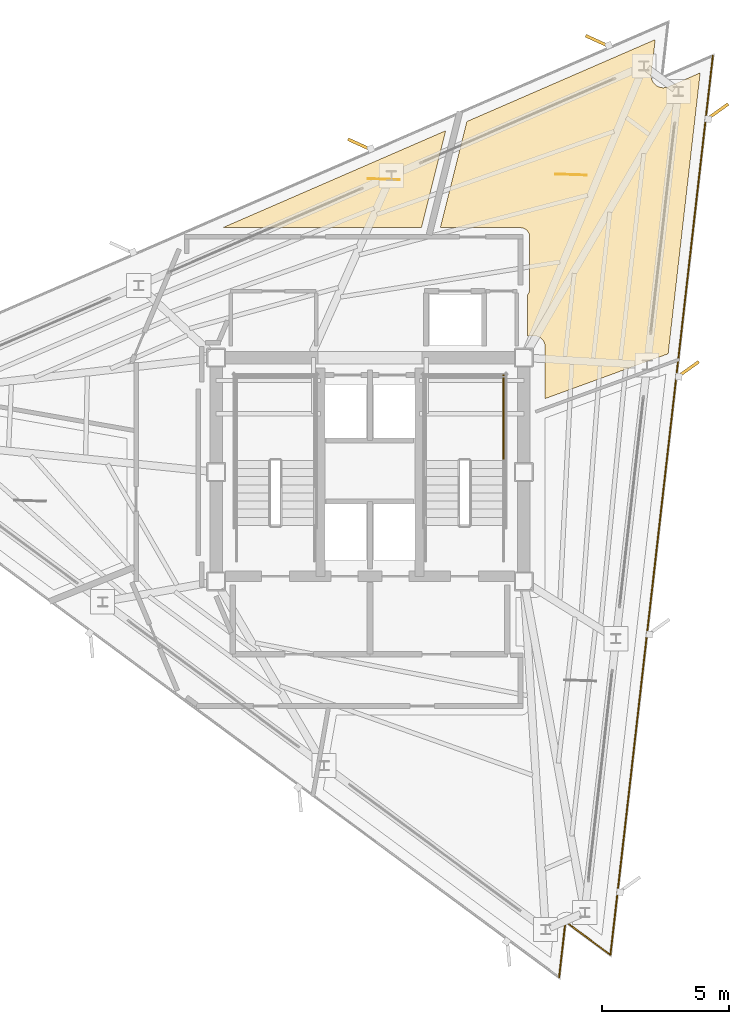
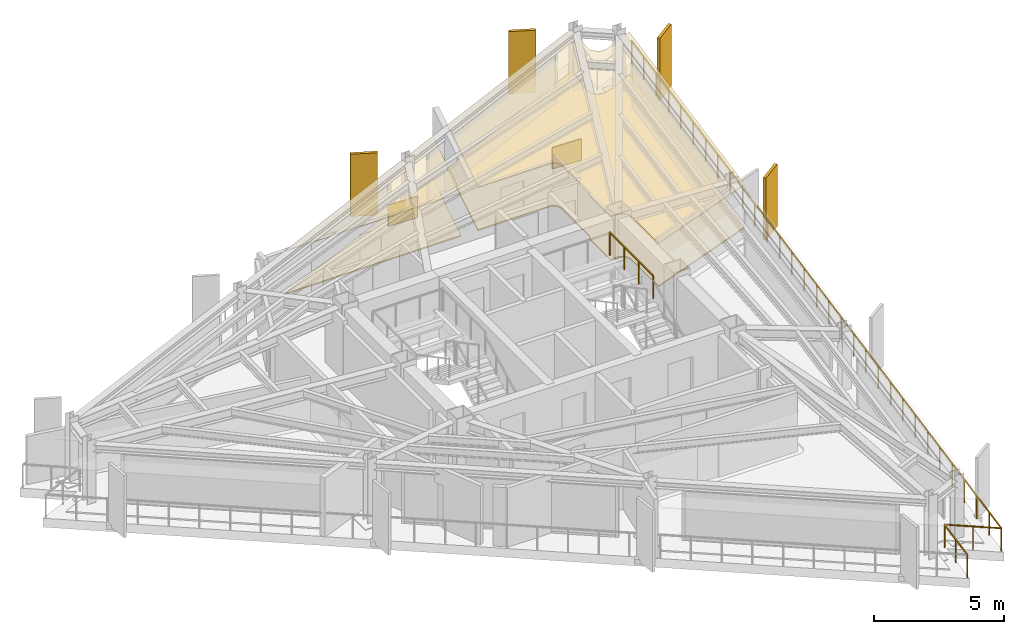
# One storey, part 10 of 10: 6 coverings, 4 shading devices, 2 railings.
"""IFC4 building model written with IfcOpenShell, lengths in metres."""

import ifcopenshell
import ifcopenshell.guid

model = None  # the IFC model being written
_history = None  # IfcOwnerHistory: only IFC2X3 demands one
_inside = {}  # id of a spatial element -> (the spatial element, [elements in it])
_under = {}  # id of a project, library or spatial element -> (it, [spatial elements below it])
_declared = {}  # id of a project -> (the project, [libraries it declares])
_typed = {}  # id of a type object -> (the type object, [elements of that type])
_made_of = {}  # id of a material, layer set ... -> (it, [elements and type objects made of it])


def new_model(schema):
    """Start an empty IFC model of exactly this schema.

    Asked for "IFC4X3", IfcOpenShell would pick the latest addendum, in which some entities
    have other attributes; the version numbers below select the first issue.
    IFC2X3 requires an IfcOwnerHistory on every rooted entity: one is made here for all.
    """
    global model, _history
    if schema == "IFC4X3":
        model = ifcopenshell.file(schema_version=(4, 3, 0, 0))
    else:
        model = ifcopenshell.file(schema=schema)
    _inside.clear()
    _under.clear()
    _declared.clear()
    _typed.clear()
    _made_of.clear()
    _history = None
    if model.schema == "IFC2X3":
        org = make("IfcOrganization", Name="unknown")
        user = make(
            "IfcPersonAndOrganization",
            ThePerson=make("IfcPerson", FamilyName="unknown"),
            TheOrganization=org,
        )
        app = make(
            "IfcApplication",
            ApplicationDeveloper=org,
            Version="unknown",
            ApplicationFullName="unknown",
            ApplicationIdentifier="unknown",
        )
        _history = make(
            "IfcOwnerHistory",
            OwningUser=user,
            OwningApplication=app,
            ChangeAction="ADDED",
            CreationDate=0,
        )
    return model


def make(cls, **values):
    """One entity of the class cls with the attributes given. An attribute that is None is left unset."""
    return model.create_entity(
        cls, **{name: value for name, value in values.items() if value is not None}
    )


def rooted(cls, **values):
    """An entity with a GlobalId (a new one), such as an element, a storey or a relation."""
    return make(cls, GlobalId=ifcopenshell.guid.new(), OwnerHistory=_history, **values)


def si_unit(unit_type, name, prefix=None):
    """IfcSIUnit, for example si_unit("LENGTHUNIT", "METRE", prefix="MILLI")."""
    return make("IfcSIUnit", UnitType=unit_type, Prefix=prefix, Name=name)


def assignment(units):
    """IfcUnitAssignment: the units of a project."""
    return None if units is None else make("IfcUnitAssignment", Units=units)


def point(xyz):
    """IfcCartesianPoint."""
    return None if xyz is None else make("IfcCartesianPoint", Coordinates=xyz)


def direction(xyz):
    """IfcDirection."""
    return None if xyz is None else make("IfcDirection", DirectionRatios=xyz)


def frame(location, z_axis=None, x_axis=None):
    """IfcAxis2Placement3D, a coordinate frame: its origin and axes. An axis left out is left unset."""
    return make(
        "IfcAxis2Placement3D",
        Location=point(location),
        Axis=direction(z_axis),
        RefDirection=direction(x_axis),
    )


def frame_2d(location, x_axis=None):
    """IfcAxis2Placement2D, a coordinate frame in the plane: its origin and x axis."""
    return make(
        "IfcAxis2Placement2D", Location=point(location), RefDirection=direction(x_axis)
    )


def origin():
    """The frame at (0, 0, 0) with its axes left unset."""
    return frame((0.0, 0.0, 0.0))


def origin_2d():
    """The frame at (0, 0) in the plane with its x axis left unset."""
    return frame_2d((0.0, 0.0))


def place(relative_to, where):
    """IfcLocalPlacement: puts the frame where relative to a parent placement (None: the world)."""
    return make(
        "IfcLocalPlacement", PlacementRelTo=relative_to, RelativePlacement=where
    )


def context(
    kind, dimensions, precision=None, world=None, true_north=None, identifier=None
):
    """IfcGeometricRepresentationContext, for example the 3D "Model" context."""
    return make(
        "IfcGeometricRepresentationContext",
        ContextIdentifier=identifier,
        ContextType=kind,
        CoordinateSpaceDimension=dimensions,
        Precision=precision,
        WorldCoordinateSystem=world,
        TrueNorth=true_north,
    )


def subcontext(parent, identifier, kind, view, scale=None):
    """IfcGeometricRepresentationSubContext, for example "Body" below "Model"."""
    return make(
        "IfcGeometricRepresentationSubContext",
        ContextIdentifier=identifier,
        ContextType=kind,
        ParentContext=parent,
        TargetScale=scale,
        TargetView=view,
    )


def project(units=None, contexts=None):
    """IfcProject with its units and contexts."""
    return rooted(
        "IfcProject",
        Name="project",
        RepresentationContexts=contexts,
        UnitsInContext=assignment(units),
    )


def spatial(cls, under=None, at=None, **own):
    """A site, building, storey or space (cls), placed at a placement, below another one or the project."""
    s = rooted(cls, ObjectPlacement=at, **own)
    if under is not None:
        _under.setdefault(under.id(), (under, []))[1].append(s)
    return s


def polyline(points):
    """IfcPolyline through the points."""
    return make("IfcPolyline", Points=[point(p) for p in points])


def profile(cls, at=None, kind="AREA", **sizes):
    """A parametric profile (cls). Its sizes go by their IFC names, for example OverallWidth=200.0."""
    return make(cls, ProfileType=kind, Position=at, **sizes)


def rectangle(**sizes):
    """IfcRectangleProfileDef."""
    return profile("IfcRectangleProfileDef", **sizes)


def outline(outer, holes=None, kind="AREA"):
    """IfcArbitraryClosedProfileDef: a profile drawn as a closed curve; with holes, ...WithVoids."""
    if holes is None:
        return make("IfcArbitraryClosedProfileDef", ProfileType=kind, OuterCurve=outer)
    return make(
        "IfcArbitraryProfileDefWithVoids",
        ProfileType=kind,
        OuterCurve=outer,
        InnerCurves=holes,
    )


def extrude(swept, where, along, depth):
    """IfcExtrudedAreaSolid: the profile swept, set in the frame where, extruded along a direction by depth."""
    return make(
        "IfcExtrudedAreaSolid",
        SweptArea=swept,
        Position=where,
        ExtrudedDirection=direction(along),
        Depth=depth,
    )


def shape(context_of_items, identifier, shape_type, items):
    """IfcShapeRepresentation: the items that make up one representation, for example the "Body"."""
    return make(
        "IfcShapeRepresentation",
        ContextOfItems=context_of_items,
        RepresentationIdentifier=identifier,
        RepresentationType=shape_type,
        Items=items,
    )


def material(Name=None, Category=None):
    """IfcMaterial."""
    return make("IfcMaterial", Name=Name, Category=Category)


def layer(
    of_material, thickness, ventilated=None, Name=None, Category=None, Priority=None
):
    """IfcMaterialLayer: one layer of a wall or slab, of a material (None: an air gap)."""
    return make(
        "IfcMaterialLayer",
        Material=of_material,
        LayerThickness=thickness,
        IsVentilated=ventilated,
        Name=Name,
        Category=Category,
        Priority=Priority,
    )


def layer_set(layers, Name=None):
    """IfcMaterialLayerSet."""
    return make("IfcMaterialLayerSet", MaterialLayers=layers, LayerSetName=Name)


def made_of(thing, what):
    """Note that an element or type object is made of a material, layer set ...; save() writes the relation."""
    if what is not None:
        _made_of.setdefault(what.id(), (what, []))[1].append(thing)
    return thing


def type_object(cls, material=None, **own):
    """A type object (cls), such as IfcWallType, which elements share."""
    return made_of(rooted(cls, **own), material)


def element(
    cls,
    number,
    at=None,
    inside=None,
    cuts=None,
    type_object=None,
    material=None,
    context=None,
    identifier="Body",
    shape_type=None,
    held_by="IfcProductDefinitionShape",
    body=None,
    shapes=None,
    **own,
):
    """One element of the class cls, such as IfcWall. Its Tag is "e" and its number.

    at: its placement. inside: the storey or other place that contains it. cuts: it is an
    opening in that element (IfcRelVoidsElement). A single representation is given by context,
    identifier, shape_type and body (its items); several are given by shapes. held_by: the class
    of the entity that holds the representations. save() writes the other relations.
    """
    e = rooted(cls, Tag="e%d" % number, ObjectPlacement=at, **own)
    if body is not None:
        shapes = [shape(context, identifier, shape_type, body)]
    if shapes is not None:
        e.Representation = make(held_by, Representations=shapes)
    if inside is not None:
        _inside.setdefault(inside.id(), (inside, []))[1].append(e)
    if cuts is not None:
        rooted(
            "IfcRelVoidsElement", RelatingBuildingElement=cuts, RelatedOpeningElement=e
        )
    if type_object is not None:
        _typed.setdefault(type_object.id(), (type_object, []))[1].append(e)
    return made_of(e, material)


def aggregate(whole, parts):
    """IfcRelAggregates: a whole, such as a stair, and the parts it consists of."""
    return rooted("IfcRelAggregates", RelatingObject=whole, RelatedObjects=parts)


def save(model, path):
    """Write the relations noted so far, then the file.

    IfcRelAggregates (storeys below a building ...), IfcRelContainedInSpatialStructure (elements
    in a storey), IfcRelDefinesByType, IfcRelAssociatesMaterial and IfcRelDeclares: one each for
    every whole, place, type object, material and project.
    """
    for whole, parts in _under.values():
        aggregate(whole, parts)
    for where, things in _inside.values():
        rooted(
            "IfcRelContainedInSpatialStructure",
            RelatedElements=things,
            RelatingStructure=where,
        )
    for kind, things in _typed.values():
        rooted("IfcRelDefinesByType", RelatedObjects=things, RelatingType=kind)
    for what, things in _made_of.values():
        rooted("IfcRelAssociatesMaterial", RelatedObjects=things, RelatingMaterial=what)
    for by, libraries in _declared.values():
        rooted("IfcRelDeclares", RelatingContext=by, RelatedDefinitions=libraries)
    model.write(path)


model = new_model("IFC4")

# Units and contexts
model_context = context("Model", 3, precision=1e-05, world=origin(), true_north=direction((0.0, 1.0)))
body_context = subcontext(model_context, "Body", "Model", "MODEL_VIEW")
ifc_project = project(units=[si_unit("LENGTHUNIT", "METRE"), si_unit("AREAUNIT", "SQUARE_METRE"), si_unit("VOLUMEUNIT", "CUBIC_METRE"), si_unit("PLANEANGLEUNIT", "RADIAN"), si_unit("MASSUNIT", "GRAM", prefix="KILO")], contexts=[model_context])

# Site, building, storey
site_placement = place(None, origin())
site = spatial("IfcSite", under=ifc_project, at=site_placement, CompositionType="ELEMENT")
building_placement = place(site_placement, origin())
building = spatial("IfcBuilding", under=site, at=building_placement, Name="Rocaltana Carrier Exchange", CompositionType="ELEMENT")
storey_placement = place(building_placement, frame((0.0, 0.0, 214.8798828125)))
storey = spatial("IfcBuildingStorey", under=building, at=storey_placement, Name="L68", CompositionType="ELEMENT", Elevation=214.8798828125)

# Coverings
ifc_material_1 = material(Name="Calcium Sulphate & Aluminium Pedestal", Category="aluminium")
ifc_layer_1 = layer(ifc_material_1, 0.06005859375)
ifc_layer_set_1 = layer_set([ifc_layer_1], Name="Calcium Sulphate & Aluminium Pedestal")
covering_type_1 = type_object("IfcCoveringType", Name="Anti-Static Raised Exchange Access Floor 60", PredefinedType="FLOORING", material=ifc_layer_set_1)
covering_1_placement = place(storey_placement, origin())
element("IfcCovering", 1, at=covering_1_placement, inside=storey, type_object=covering_type_1, Name="L68 Protocol Calibration Laboratory Finish Floor", PredefinedType="FLOORING", context=body_context, shape_type="SweptSolid", body=[
    extrude(outline(polyline([(6.18994140625, 6.962158203125), (6.206787109375, 6.982421875), (6.21142578125, 6.98876953125), (6.226806640625, 7.01171875), (6.230712890625, 7.018310546875), (6.24365234375, 7.04248046875), (6.2470703125, 7.0498046875), (6.257568359375, 7.0751953125), (6.26025390625, 7.08251953125), (6.268310546875, 7.108642578125), (6.27001953125, 7.116455078125), (6.275390625, 7.143310546875), (6.276611328125, 7.151123046875), (6.279296875, 7.178466796875), (6.27978515625, 7.186279296875), (6.280029296875, 7.199951171875), (6.280029296875, 9.25), (6.27978515625, 9.263671875), (6.279296875, 9.271484375), (6.276611328125, 9.298828125), (6.275390625, 9.306640625), (6.27001953125, 9.33349609375), (6.268310546875, 9.34130859375), (6.26025390625, 9.36767578125), (6.257568359375, 9.375), (6.2470703125, 9.400390625), (6.24365234375, 9.407470703125), (6.230712890625, 9.431640625), (6.226806640625, 9.4384765625), (6.21142578125, 9.461181640625), (6.206787109375, 9.467529296875), (6.189208984375, 9.48876953125), (6.18408203125, 9.49462890625), (6.16455078125, 9.513916015625), (6.15869140625, 9.519287109375), (6.137451171875, 9.53662109375), (6.131103515625, 9.54150390625), (6.1083984375, 9.556640625), (6.101806640625, 9.560791015625), (6.077392578125, 9.57373046875), (6.0703125, 9.576904296875), (6.044921875, 9.58740234375), (6.03759765625, 9.590087890625), (6.01123046875, 9.59814453125), (6.003662109375, 9.60009765625), (5.976806640625, 9.60546875), (5.968994140625, 9.606689453125), (5.941650390625, 9.609375), (5.93359375, 9.609619140625), (5.919921875, 9.610107421875), (2.76708984375, 9.610107421875), (3.80859375, 13.786865234375), (11.217041015625, 17.00830078125), (11.06201171875, 15.648193359375), (11.060791015625, 15.634521484375), (11.0595703125, 15.614501953125), (11.05908203125, 15.586669921875), (11.059814453125, 15.566650390625), (11.062255859375, 15.538818359375), (11.06494140625, 15.51904296875), (11.070068359375, 15.49169921875), (11.07470703125, 15.472412109375), (11.08251953125, 15.445556640625), (11.089111328125, 15.4267578125), (11.099609375, 15.40087890625), (11.10791015625, 15.3828125), (11.12109375, 15.358154296875), (11.131103515625, 15.3408203125), (11.146484375, 15.317626953125), (11.158447265625, 15.301513671875), (11.176025390625, 15.27978515625), (11.189453125, 15.26513671875), (11.209228515625, 15.245361328125), (11.223876953125, 15.23193359375), (11.24560546875, 15.21435546875), (11.261474609375, 15.202392578125), (11.284912109375, 15.18701171875), (11.302001953125, 15.1767578125), (11.32666015625, 15.163818359375), (11.344482421875, 15.1552734375), (11.37060546875, 15.144775390625), (11.389404296875, 15.13818359375), (11.416015625, 15.130126953125), (11.435302734375, 15.12548828125), (11.462890625, 15.1201171875), (11.482666015625, 15.117431640625), (11.510498046875, 15.114990234375), (11.5302734375, 15.1142578125), (11.55810546875, 15.114501953125), (11.578125, 15.11572265625), (11.60595703125, 15.118896484375), (11.62548828125, 15.1220703125), (11.65283203125, 15.1279296875), (11.672119140625, 15.133056640625), (11.69873046875, 15.1416015625), (11.71728515625, 15.148681640625), (11.730224609375, 15.15380859375), (12.985595703125, 15.699462890625), (11.726806640625, 4.6513671875), (6.889892578125, 2.890869140625), (6.889892578125, 4.919921875), (6.8896484375, 4.93359375), (6.888916015625, 4.949462890625), (6.88623046875, 4.976806640625), (6.8837890625, 4.9921875), (6.87841796875, 5.019287109375), (6.874755859375, 5.034423828125), (6.86669921875, 5.060791015625), (6.861572265625, 5.07568359375), (6.850830078125, 5.100830078125), (6.84423828125, 5.114990234375), (6.831298828125, 5.139404296875), (6.8232421875, 5.15283203125), (6.807861328125, 5.17578125), (6.798583984375, 5.188232421875), (6.781005859375, 5.20947265625), (6.7705078125, 5.22119140625), (6.751220703125, 5.240478515625), (6.739501953125, 5.251220703125), (6.71826171875, 5.2685546875), (6.705810546875, 5.27783203125), (6.682861328125, 5.293212890625), (6.66943359375, 5.30126953125), (6.64501953125, 5.314208984375), (6.630859375, 5.32080078125), (6.605712890625, 5.33154296875), (6.5908203125, 5.336669921875), (6.564453125, 5.3447265625), (6.54931640625, 5.348388671875), (6.522216796875, 5.35400390625), (6.5068359375, 5.356201171875), (6.4794921875, 5.35888671875), (6.463623046875, 5.359619140625), (6.449951171875, 5.360107421875), (6.18994140625, 5.360107421875), (6.18994140625, 6.962158203125)])), origin(), (0.0, 0.0, 1.0), 0.06005859375),
])
covering_2_placement = place(storey_placement, origin())
element("IfcCovering", 2, at=covering_2_placement, inside=storey, type_object=covering_type_1, Name="L68 Network Engineering Studio Finish Floor", PredefinedType="FLOORING", context=body_context, shape_type="SweptSolid", body=[
    extrude(outline(polyline([(-5.797607421875, 9.610107421875), (2.976318359375, 13.425048828125), (2.02490234375, 9.610107421875), (-5.797607421875, 9.610107421875)])), origin(), (0.0, 0.0, 1.0), 0.06005859375),
])
ifc_material_2 = material(Name="Mineral Fibre & Powder-Coated Aluminium", Category="aluminium")
ifc_layer_2 = layer(ifc_material_2, 0.044921875)
ifc_layer_set_2 = layer_set([ifc_layer_2], Name="Mineral Fibre & Powder-Coated Aluminium")
covering_type_2 = type_object("IfcCoveringType", Name="Micro-Perforated Acoustic Ceiling 45", PredefinedType="CEILING", material=ifc_layer_set_2)
covering_3_placement = place(storey_placement, frame((0.0, 0.0, 2.023193359375)))
element("IfcCovering", 3, at=covering_3_placement, inside=storey, type_object=covering_type_2, Name="L68 Protocol Calibration Laboratory Acoustic Ceiling", PredefinedType="CEILING", context=body_context, shape_type="SweptSolid", body=[
    extrude(outline(polyline([(6.18994140625, 6.962158203125), (6.206787109375, 6.982421875), (6.21142578125, 6.98876953125), (6.226806640625, 7.01171875), (6.230712890625, 7.018310546875), (6.24365234375, 7.04248046875), (6.2470703125, 7.0498046875), (6.257568359375, 7.0751953125), (6.26025390625, 7.08251953125), (6.268310546875, 7.108642578125), (6.27001953125, 7.116455078125), (6.275390625, 7.143310546875), (6.276611328125, 7.151123046875), (6.279296875, 7.178466796875), (6.27978515625, 7.186279296875), (6.280029296875, 7.199951171875), (6.280029296875, 9.25), (6.27978515625, 9.263671875), (6.279296875, 9.271484375), (6.276611328125, 9.298828125), (6.275390625, 9.306640625), (6.27001953125, 9.33349609375), (6.268310546875, 9.34130859375), (6.26025390625, 9.36767578125), (6.257568359375, 9.375), (6.2470703125, 9.400390625), (6.24365234375, 9.407470703125), (6.230712890625, 9.431640625), (6.226806640625, 9.4384765625), (6.21142578125, 9.461181640625), (6.206787109375, 9.467529296875), (6.189208984375, 9.48876953125), (6.18408203125, 9.49462890625), (6.16455078125, 9.513916015625), (6.15869140625, 9.519287109375), (6.137451171875, 9.53662109375), (6.131103515625, 9.54150390625), (6.1083984375, 9.556640625), (6.101806640625, 9.560791015625), (6.077392578125, 9.57373046875), (6.0703125, 9.576904296875), (6.044921875, 9.58740234375), (6.03759765625, 9.590087890625), (6.01123046875, 9.59814453125), (6.003662109375, 9.60009765625), (5.976806640625, 9.60546875), (5.968994140625, 9.606689453125), (5.941650390625, 9.609375), (5.93359375, 9.609619140625), (5.919921875, 9.610107421875), (2.76708984375, 9.610107421875), (3.80859375, 13.786865234375), (11.217041015625, 17.00830078125), (11.06201171875, 15.648193359375), (11.060791015625, 15.634521484375), (11.0595703125, 15.614501953125), (11.05908203125, 15.586669921875), (11.059814453125, 15.566650390625), (11.062255859375, 15.538818359375), (11.06494140625, 15.51904296875), (11.070068359375, 15.49169921875), (11.07470703125, 15.472412109375), (11.08251953125, 15.445556640625), (11.089111328125, 15.4267578125), (11.099609375, 15.40087890625), (11.10791015625, 15.3828125), (11.12109375, 15.358154296875), (11.131103515625, 15.3408203125), (11.146484375, 15.317626953125), (11.158447265625, 15.301513671875), (11.176025390625, 15.27978515625), (11.189453125, 15.26513671875), (11.209228515625, 15.245361328125), (11.223876953125, 15.23193359375), (11.24560546875, 15.21435546875), (11.261474609375, 15.202392578125), (11.284912109375, 15.18701171875), (11.302001953125, 15.1767578125), (11.32666015625, 15.163818359375), (11.344482421875, 15.1552734375), (11.37060546875, 15.144775390625), (11.389404296875, 15.13818359375), (11.416015625, 15.130126953125), (11.435302734375, 15.12548828125), (11.462890625, 15.1201171875), (11.482666015625, 15.117431640625), (11.510498046875, 15.114990234375), (11.5302734375, 15.1142578125), (11.55810546875, 15.114501953125), (11.578125, 15.11572265625), (11.60595703125, 15.118896484375), (11.62548828125, 15.1220703125), (11.65283203125, 15.1279296875), (11.672119140625, 15.133056640625), (11.69873046875, 15.1416015625), (11.71728515625, 15.148681640625), (11.730224609375, 15.15380859375), (12.985595703125, 15.699462890625), (11.726806640625, 4.6513671875), (6.889892578125, 2.890869140625), (6.889892578125, 4.919921875), (6.8896484375, 4.93359375), (6.888916015625, 4.949462890625), (6.88623046875, 4.976806640625), (6.8837890625, 4.9921875), (6.87841796875, 5.019287109375), (6.874755859375, 5.034423828125), (6.86669921875, 5.060791015625), (6.861572265625, 5.07568359375), (6.850830078125, 5.100830078125), (6.84423828125, 5.114990234375), (6.831298828125, 5.139404296875), (6.8232421875, 5.15283203125), (6.807861328125, 5.17578125), (6.798583984375, 5.188232421875), (6.781005859375, 5.20947265625), (6.7705078125, 5.22119140625), (6.751220703125, 5.240478515625), (6.739501953125, 5.251220703125), (6.71826171875, 5.2685546875), (6.705810546875, 5.27783203125), (6.682861328125, 5.293212890625), (6.66943359375, 5.30126953125), (6.64501953125, 5.314208984375), (6.630859375, 5.32080078125), (6.605712890625, 5.33154296875), (6.5908203125, 5.336669921875), (6.564453125, 5.3447265625), (6.54931640625, 5.348388671875), (6.522216796875, 5.35400390625), (6.5068359375, 5.356201171875), (6.4794921875, 5.35888671875), (6.463623046875, 5.359619140625), (6.449951171875, 5.360107421875), (6.18994140625, 5.360107421875), (6.18994140625, 6.962158203125)])), origin(), (0.0, 0.0, 1.0), 0.044921875),
])
covering_4_placement = place(storey_placement, frame((0.0, 0.0, 2.023193359375)))
element("IfcCovering", 4, at=covering_4_placement, inside=storey, type_object=covering_type_2, Name="L68 Network Engineering Studio Acoustic Ceiling", PredefinedType="CEILING", context=body_context, shape_type="SweptSolid", body=[
    extrude(outline(polyline([(-5.797607421875, 9.610107421875), (2.976318359375, 13.425048828125), (2.02490234375, 9.610107421875), (-5.797607421875, 9.610107421875)])), origin(), (0.0, 0.0, 1.0), 0.044921875),
])

# Railing
ifc_material_3 = material(Name="Powder-Coated Aluminium 6063-T6", Category="aluminium")
ifc_layer_3 = layer(ifc_material_3, 0.048095703125)
ifc_layer_set_3 = layer_set([ifc_layer_3], Name="Powder-Coated Aluminium 6063-T6")
railing_type_1 = type_object("IfcRailingType", Name="Stair Well Guardrail 1100", PredefinedType="GUARDRAIL", material=ifc_layer_set_3)
railing_1_placement = place(storey_placement, frame((5.25, 0.4599609375, 1.52001953125)))
element("IfcRailing", 5, at=railing_1_placement, inside=storey, type_object=railing_type_1, Name="L68 ST-2 stair guard 3", PredefinedType="GUARDRAIL", context=body_context, shape_type="SweptSolid", body=[
    extrude(rectangle(XDim=0.048095703125, YDim=0.048095703125, at=origin_2d()), frame((0.0, 0.0, 1.076171875), z_axis=(0.0, 1.0, 0.0), x_axis=(-1.0, 0.0, 0.0)), (0.0, 0.0, 1.0), 3.340087890625),
    extrude(rectangle(XDim=0.0419921875, YDim=0.0419921875, at=origin_2d()), origin(), (0.0, 0.0, 1.0), 1.052001953125),
    extrude(rectangle(XDim=0.0419921875, YDim=0.0419921875, at=origin_2d()), frame((0.0, 1.11328125, 0.0)), (0.0, 0.0, 1.0), 1.052001953125),
    extrude(rectangle(XDim=0.0419921875, YDim=0.0419921875, at=origin_2d()), frame((0.0, 2.226806640625, 0.0)), (0.0, 0.0, 1.0), 1.052001953125),
    extrude(rectangle(XDim=0.0419921875, YDim=0.0419921875, at=origin_2d()), frame((0.0, 3.340087890625, 0.0)), (0.0, 0.0, 1.0), 1.052001953125),
])

# Coverings
ifc_material_4 = material(Name="Honed Piedra Muneca Sandstone", Category="masonry")
ifc_layer_4 = layer(ifc_material_4, 0.034912109375)
ifc_layer_set_4 = layer_set([ifc_layer_4], Name="Honed Piedra Muneca Sandstone")
covering_type_3 = type_object("IfcCoveringType", Name="Stone Facade Cladding 35", PredefinedType="CLADDING", material=ifc_layer_set_4)
for number, where, z_axis, x_axis, name in (
    (6, (7.90869140625, 11.698486328125, 0.0), (0.0, 0.0, 1.0), (-0.999390827019, 0.034899496703, 0.0), "L68 Stone Facade Cladding Panel 5"),
    (7, (0.544921875, 11.517578125, 0.0), (0.0, 0.0, 1.0), (-0.999390827019, 0.034899496703, 0.0), "L68 Stone Facade Cladding Panel 6"),
):
    element("IfcCovering", number, at=place(storey_placement, frame(where, z_axis=z_axis, x_axis=x_axis)), inside=storey, type_object=covering_type_3, Name=name, PredefinedType="CLADDING", context=body_context, shape_type="SweptSolid", body=[
        extrude(rectangle(XDim=1.25, YDim=0.034912109375, at=origin_2d()), origin(), (0.0, 0.0, 1.0), 1.050048828125),
    ])

# Shading devices
ifc_material_5 = material(Name="Honed Bogota Sandstone & Concrete C45/55", Category="masonry")
ifc_layer_5 = layer(ifc_material_5, 0.1201171875)
ifc_layer_set_5 = layer_set([ifc_layer_5], Name="Honed Bogota Sandstone & Concrete C45/55")
shading_device_type = type_object("IfcShadingDeviceType", Name="Upper Sandstone Shading Fin 1050x120", PredefinedType="USERDEFINED", material=ifc_layer_set_5)
for number, where, z_axis, x_axis, name in (
    (8, (12.502197265625, 4.03515625, -0.119873046875), (0.0, 0.0, 1.0), (0.814115518356, 0.580702955711, 0.0), "L68 Sandstone Vertical Fin F1-03"),
    (9, (13.656982421875, 14.169677734375, -0.119873046875), (0.0, 0.0, 1.0), (0.814115518356, 0.580702955711, 0.0), "L68 Sandstone Vertical Fin F1-04"),
    (10, (8.96240234375, 16.944091796875, -0.119873046875), (0.0, 0.0, 1.0), (-0.909961270877, 0.414693242656, 0.0), "L68 Sandstone Vertical Fin F2-01"),
    (11, (-0.3916015625, 12.876953125, -0.119873046875), (0.0, 0.0, 1.0), (-0.909961270877, 0.414693242656, 0.0), "L68 Sandstone Vertical Fin F2-02"),
):
    element("IfcShadingDevice", number, at=place(storey_placement, frame(where, z_axis=z_axis, x_axis=x_axis)), inside=storey, type_object=shading_device_type, Name=name, ObjectType="FIN", PredefinedType="USERDEFINED", context=body_context, shape_type="SweptSolid", body=[
        extrude(rectangle(XDim=1.050048828125, YDim=0.1201171875, at=origin_2d()), origin(), (0.0, 0.0, 1.0), 2.91796875),
    ])

# Railing
ifc_material_6 = material(Name="Powder-Coated Aluminium 6063-T6", Category="aluminium")
ifc_layer_6 = layer(ifc_material_6, 0.06005859375)
ifc_layer_set_6 = layer_set([ifc_layer_6], Name="Powder-Coated Aluminium 6063-T6")
railing_type_2 = type_object("IfcRailingType", Name="Wind-Floor & Terrace Perimeter Guardrail 1100", PredefinedType="GUARDRAIL", material=ifc_layer_set_6)
railing_2_placement = place(storey_placement, frame((13.485107421875, 16.374755859375, 0.0)))
element("IfcRailing", 12, at=railing_2_placement, inside=storey, type_object=railing_type_2, Name="L68 Perimeter Balcony Guardrail 3", PredefinedType="GUARDRAIL", context=body_context, shape_type="SweptSolid", body=[
    extrude(rectangle(XDim=0.048095703125, YDim=0.048095703125, at=origin_2d()), frame((0.0, 0.0, 1.076171875), z_axis=(-0.113200877656, -0.99357212184, 0.0), x_axis=(0.99357212184, -0.113200877656, 0.0)), (0.0, 0.0, 1.0), 35.592041015625),
    extrude(rectangle(XDim=0.048095703125, YDim=0.048095703125, at=origin_2d()), frame((-4.029052734375, -35.36328125, 1.076171875), z_axis=(-0.803871612758, 0.59480284986, 0.0), x_axis=(-0.59480284986, -0.803871612758, 0.0)), (0.0, 0.0, 1.0), 2.199951171875),
    extrude(rectangle(XDim=0.048095703125, YDim=0.048095703125, at=origin_2d()), frame((-5.797607421875, -34.0546875, 1.076171875), z_axis=(-0.113183557839, -0.99357409499, 0.0), x_axis=(0.99357409499, -0.113183557839, 0.0)), (0.0, 0.0, 1.0), 2.2001953125),
    extrude(rectangle(XDim=0.0419921875, YDim=0.0419921875, at=origin_2d()), origin(), (0.0, 0.0, 1.0), 1.052001953125),
    extrude(rectangle(XDim=0.0419921875, YDim=0.0419921875, at=origin_2d()), frame((-0.13427734375, -1.1787109375, 0.0)), (0.0, 0.0, 1.0), 1.052001953125),
    extrude(rectangle(XDim=0.0419921875, YDim=0.0419921875, at=origin_2d()), frame((-0.2685546875, -2.357666015625, 0.0)), (0.0, 0.0, 1.0), 1.052001953125),
    extrude(rectangle(XDim=0.0419921875, YDim=0.0419921875, at=origin_2d()), frame((-0.40283203125, -3.536376953125, 0.0)), (0.0, 0.0, 1.0), 1.052001953125),
    extrude(rectangle(XDim=0.0419921875, YDim=0.0419921875, at=origin_2d()), frame((-0.537109375, -4.715087890625, 0.0)), (0.0, 0.0, 1.0), 1.052001953125),
    extrude(rectangle(XDim=0.0419921875, YDim=0.0419921875, at=origin_2d()), frame((-0.67138671875, -5.893798828125, 0.0)), (0.0, 0.0, 1.0), 1.052001953125),
    extrude(rectangle(XDim=0.0419921875, YDim=0.0419921875, at=origin_2d()), frame((-0.805908203125, -7.07275390625, 0.0)), (0.0, 0.0, 1.0), 1.052001953125),
    extrude(rectangle(XDim=0.0419921875, YDim=0.0419921875, at=origin_2d()), frame((-0.940185546875, -8.25146484375, 0.0)), (0.0, 0.0, 1.0), 1.052001953125),
    extrude(rectangle(XDim=0.0419921875, YDim=0.0419921875, at=origin_2d()), frame((-1.074462890625, -9.43017578125, 0.0)), (0.0, 0.0, 1.0), 1.052001953125),
    extrude(rectangle(XDim=0.0419921875, YDim=0.0419921875, at=origin_2d()), frame((-1.208740234375, -10.60888671875, 0.0)), (0.0, 0.0, 1.0), 1.052001953125),
    extrude(rectangle(XDim=0.0419921875, YDim=0.0419921875, at=origin_2d()), frame((-1.343017578125, -11.787841796875, 0.0)), (0.0, 0.0, 1.0), 1.052001953125),
    extrude(rectangle(XDim=0.0419921875, YDim=0.0419921875, at=origin_2d()), frame((-1.477294921875, -12.966552734375, 0.0)), (0.0, 0.0, 1.0), 1.052001953125),
    extrude(rectangle(XDim=0.0419921875, YDim=0.0419921875, at=origin_2d()), frame((-1.611572265625, -14.145263671875, 0.0)), (0.0, 0.0, 1.0), 1.052001953125),
    extrude(rectangle(XDim=0.0419921875, YDim=0.0419921875, at=origin_2d()), frame((-1.745849609375, -15.323974609375, 0.0)), (0.0, 0.0, 1.0), 1.052001953125),
    extrude(rectangle(XDim=0.0419921875, YDim=0.0419921875, at=origin_2d()), frame((-1.880126953125, -16.5029296875, 0.0)), (0.0, 0.0, 1.0), 1.052001953125),
    extrude(rectangle(XDim=0.0419921875, YDim=0.0419921875, at=origin_2d()), frame((-2.0146484375, -17.681640625, 0.0)), (0.0, 0.0, 1.0), 1.052001953125),
    extrude(rectangle(XDim=0.0419921875, YDim=0.0419921875, at=origin_2d()), frame((-2.14892578125, -18.8603515625, 0.0)), (0.0, 0.0, 1.0), 1.052001953125),
    extrude(rectangle(XDim=0.0419921875, YDim=0.0419921875, at=origin_2d()), frame((-2.283203125, -20.039306640625, 0.0)), (0.0, 0.0, 1.0), 1.052001953125),
    extrude(rectangle(XDim=0.0419921875, YDim=0.0419921875, at=origin_2d()), frame((-2.41748046875, -21.218017578125, 0.0)), (0.0, 0.0, 1.0), 1.052001953125),
    extrude(rectangle(XDim=0.0419921875, YDim=0.0419921875, at=origin_2d()), frame((-2.5517578125, -22.396728515625, 0.0)), (0.0, 0.0, 1.0), 1.052001953125),
    extrude(rectangle(XDim=0.0419921875, YDim=0.0419921875, at=origin_2d()), frame((-2.68603515625, -23.575439453125, 0.0)), (0.0, 0.0, 1.0), 1.052001953125),
    extrude(rectangle(XDim=0.0419921875, YDim=0.0419921875, at=origin_2d()), frame((-2.8203125, -24.75439453125, 0.0)), (0.0, 0.0, 1.0), 1.052001953125),
    extrude(rectangle(XDim=0.0419921875, YDim=0.0419921875, at=origin_2d()), frame((-2.95458984375, -25.93310546875, 0.0)), (0.0, 0.0, 1.0), 1.052001953125),
    extrude(rectangle(XDim=0.0419921875, YDim=0.0419921875, at=origin_2d()), frame((-3.0888671875, -27.11181640625, 0.0)), (0.0, 0.0, 1.0), 1.052001953125),
    extrude(rectangle(XDim=0.0419921875, YDim=0.0419921875, at=origin_2d()), frame((-3.22314453125, -28.29052734375, 0.0)), (0.0, 0.0, 1.0), 1.052001953125),
    extrude(rectangle(XDim=0.0419921875, YDim=0.0419921875, at=origin_2d()), frame((-3.357421875, -29.469482421875, 0.0)), (0.0, 0.0, 1.0), 1.052001953125),
    extrude(rectangle(XDim=0.0419921875, YDim=0.0419921875, at=origin_2d()), frame((-3.491943359375, -30.648193359375, 0.0)), (0.0, 0.0, 1.0), 1.052001953125),
    extrude(rectangle(XDim=0.0419921875, YDim=0.0419921875, at=origin_2d()), frame((-3.626220703125, -31.826904296875, 0.0)), (0.0, 0.0, 1.0), 1.052001953125),
    extrude(rectangle(XDim=0.0419921875, YDim=0.0419921875, at=origin_2d()), frame((-3.760498046875, -33.005615234375, 0.0)), (0.0, 0.0, 1.0), 1.052001953125),
    extrude(rectangle(XDim=0.0419921875, YDim=0.0419921875, at=origin_2d()), frame((-3.894775390625, -34.1845703125, 0.0)), (0.0, 0.0, 1.0), 1.052001953125),
    extrude(rectangle(XDim=0.0419921875, YDim=0.0419921875, at=origin_2d()), frame((-4.029052734375, -35.36328125, 0.0)), (0.0, 0.0, 1.0), 1.052001953125),
    extrude(rectangle(XDim=0.0419921875, YDim=0.0419921875, at=origin_2d()), frame((-4.913330078125, -34.708984375, 0.0)), (0.0, 0.0, 1.0), 1.052001953125),
    extrude(rectangle(XDim=0.0419921875, YDim=0.0419921875, at=origin_2d()), frame((-5.797607421875, -34.0546875, 0.0)), (0.0, 0.0, 1.0), 1.052001953125),
    extrude(rectangle(XDim=0.0419921875, YDim=0.0419921875, at=origin_2d()), frame((-5.922119140625, -35.147705078125, 0.0)), (0.0, 0.0, 1.0), 1.052001953125),
    extrude(rectangle(XDim=0.0419921875, YDim=0.0419921875, at=origin_2d()), frame((-6.046630859375, -36.24072265625, 0.0)), (0.0, 0.0, 1.0), 1.052001953125),
])

save(model, "model.ifc")
